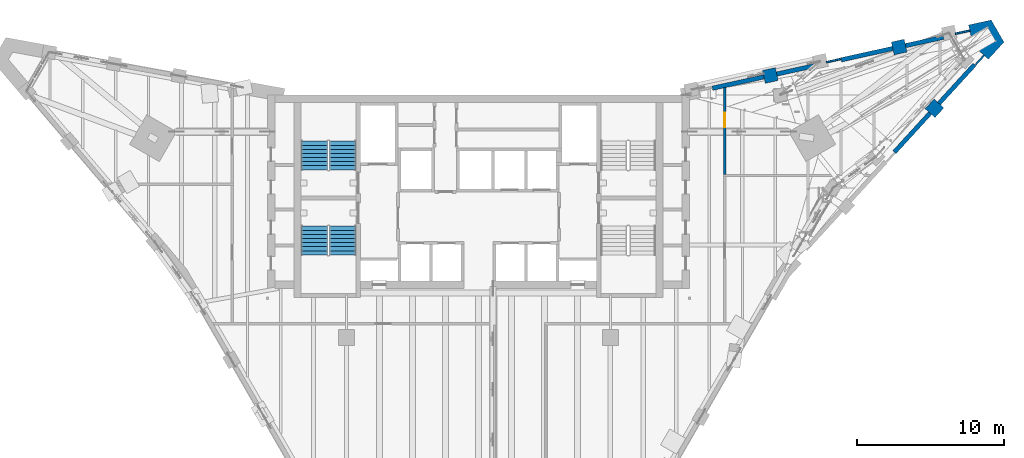
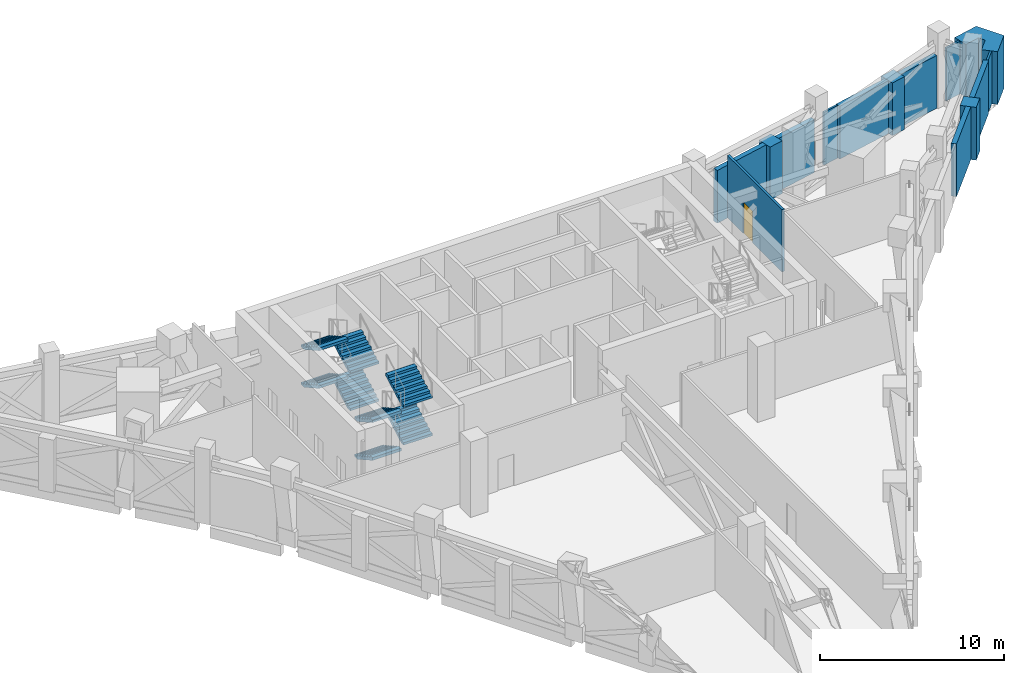
# One storey, part 13 of 23: 14 walls, 8 stair flights, 1 door, 1 opening, 2 elements without a shape of their own.
"""IFC4 building model written with IfcOpenShell, lengths in metres."""

from ifc_helpers import new_model, si_unit, direction, frame, frame_2d, origin, place, context, subcontext, project, spatial, polyline, rectangle, outline, extrude, faceted_brep, source, transform, mapped, material, layer, layer_set, type_object, element, fill, aggregate, save


model = new_model("IFC4")

# Units and contexts
model_context = context("Model", 3, precision=1e-05, world=origin(), true_north=direction((0.0, 1.0)))
body_context = subcontext(model_context, "Body", "Model", "MODEL_VIEW")
ifc_project = project(units=[si_unit("LENGTHUNIT", "METRE"), si_unit("AREAUNIT", "SQUARE_METRE"), si_unit("VOLUMEUNIT", "CUBIC_METRE"), si_unit("PLANEANGLEUNIT", "RADIAN"), si_unit("MASSUNIT", "GRAM", prefix="KILO")], contexts=[model_context])

# Site, building, storey
site_placement = place(None, origin())
site = spatial("IfcSite", under=ifc_project, at=site_placement, CompositionType="ELEMENT")
building_placement = place(site_placement, origin())
building = spatial("IfcBuilding", under=site, at=building_placement, Name="Calabash Gate Tower", CompositionType="ELEMENT")
storey_placement = place(building_placement, frame((0.0, 0.0, 243.199951171875)))
storey = spatial("IfcBuildingStorey", under=building, at=storey_placement, Name="L58", CompositionType="ELEMENT", Elevation=243.199951171875)

# Walls
ifc_material_1 = material(Name="Terracotta brick masonry, exposed face", Category="masonry")
ifc_layer_1 = layer(ifc_material_1, 0.89990234375)
ifc_layer_set_1 = layer_set([ifc_layer_1], Name="Brick end wall 900")
wall_type_1 = type_object("IfcWallType", Name="Brick end wall 900", PredefinedType="SOLIDWALL", material=ifc_layer_set_1)
for number, where, z_axis, x_axis, name in (
    (1, (31.421630859375, 18.47900390625, 0.0), (0.0, 0.0, 1.0), (-0.674938051731, -0.737874397391, 0.0), "Brick pier L58 wedge3.3"),
    (2, (28.80078125, 21.888916015625, 0.0), (0.0, 0.0, 1.0), (-0.215436290857, 0.976517897727, 0.0), "Brick pier L58 wedge5.1"),
):
    element("IfcWall", number, at=place(storey_placement, frame(where, z_axis=z_axis, x_axis=x_axis)), inside=storey, type_object=wall_type_1, Name=name, PredefinedType="SOLIDWALL", context=body_context, shape_type="SweptSolid", body=[
        extrude(rectangle(XDim=0.89990234375, YDim=0.89990234375, at=frame_2d((0.449951171875, 0.0))), origin(), (0.0, 0.0, 1.0), 3.5),
    ])
wall_1_placement = place(storey_placement, frame((19.475830078125, 20.2919921875, 0.0), z_axis=(0.0, 0.0, 1.0), x_axis=(0.976473402733, 0.215637876437, 0.0)))
element("IfcWall", 3, at=wall_1_placement, inside=storey, type_object=wall_type_1, Name="Brick pier L58 wedge5.3", PredefinedType="SOLIDWALL", context=body_context, shape_type="SweptSolid", body=[
    extrude(rectangle(XDim=0.900146484375, YDim=0.89990234375, at=frame_2d((0.4501953125, 0.0))), origin(), (0.0, 0.0, 1.0), 3.5),
])
wall_2_placement = place(storey_placement, origin())
element("IfcWall", 4, at=wall_2_placement, inside=storey, type_object=wall_type_1, Name="Brick end wall L58 3", PredefinedType="SOLIDWALL", context=body_context, shape_type="SweptSolid", body=[
    extrude(outline(polyline([(34.12646484375, 22.103515625), (34.79052734375, 21.49609375), (35.8583984375, 22.663818359375), (34.98583984375, 24.175048828125), (33.440673828125, 23.834228515625), (33.634521484375, 22.955322265625), (34.535888671875, 23.154296875), (34.749267578125, 22.78466796875), (34.12646484375, 22.103515625)])), origin(), (0.0, 0.0, 1.0), 3.5),
])

# Wall, opening, door
ifc_material_2 = material(Name="Gypsum board on steel studs, mineral wool", Category="steel")
ifc_layer_2 = layer(ifc_material_2, 0.14990234375)
ifc_layer_set_2 = layer_set([ifc_layer_2], Name="Partition 150 gypsum board")
wall_type_2 = type_object("IfcWallType", Name="Partition 150 gypsum board", PredefinedType="PARTITIONING", material=ifc_layer_set_2)
wall_3_placement = place(storey_placement, frame((16.800048828125, 13.633544921875, 0.0), z_axis=(0.0, 0.0, 1.0), x_axis=(0.0, 1.0, 0.0)))
wall_3 = element("IfcWall", 5, at=wall_3_placement, inside=storey, type_object=wall_type_2, Name="Partition", PredefinedType="PARTITIONING", context=body_context, shape_type="SweptSolid", body=[
    extrude(rectangle(XDim=5.9345703125, YDim=0.14990234375, at=frame_2d((2.96728515625, 0.0))), origin(), (0.0, 0.0, 1.0), 4.130126953125),
])
opening_placement = place(wall_3_placement, frame((3.218017578125, 0.0, 0.0)))
opening = element("IfcOpeningElement", 6, at=opening_placement, cuts=wall_3, Name="Opening L58-024", PredefinedType="OPENING", context=body_context, shape_type="SweptSolid", body=[
    extrude(rectangle(XDim=1.0, YDim=2.10009765625, at=frame_2d((0.5, 1.050048828125))), frame((0.0, 0.0849609375, 0.0), z_axis=(0.0, -1.0, 0.0), x_axis=(1.0, 0.0, 0.0)), (0.0, 0.0, 1.0), 0.169921875),
])
ifc_material_3 = material(Name="Steel fire door set with fire-resisting glazing", Category="steel")
door_type = type_object("IfcDoorType", Name="Fire door D11 1000x2100 FD60", OperationType="NOTDEFINED", PredefinedType="DOOR", material=ifc_material_3)
door_placement = place(opening_placement, origin())
door = element("IfcDoor", 7, at=door_placement, inside=storey, type_object=door_type, Name="Electrical Switch Room door", OperationType="SINGLE_SWING_LEFT", OverallHeight=2.10009765625, OverallWidth=1.0, PredefinedType="DOOR", context=body_context, shape_type="SweptSolid", body=[
    extrude(rectangle(XDim=1.0, YDim=2.10009765625, at=frame_2d((0.5, 1.050048828125))), frame((0.0, 0.02490234375, 0.0), z_axis=(0.0, -1.0, 0.0), x_axis=(1.0, 0.0, 0.0)), (0.0, 0.0, 1.0), 0.050048828125),
])
fill(opening, door)

# Walls
ifc_material_4 = material(Name="Terracotta brick masonry, perforated", Category="masonry")
ifc_layer_3 = layer(ifc_material_4, 0.1201171875)
ifc_layer_set_3 = layer_set([ifc_layer_3], Name="Terracotta jaali cladding A 120")
wall_type_3 = type_object("IfcWallType", Name="Terracotta jaali cladding A 120", PredefinedType="SOLIDWALL", material=ifc_layer_set_3)
wall_4_placement = place(storey_placement, frame((33.913818359375, 21.115478515625, 0.0), z_axis=(0.0, 0.0, 1.0), x_axis=(0.674922296678, 0.737888808322, 0.0)))
element("IfcWall", 8, at=wall_4_placement, inside=storey, type_object=wall_type_3, Name="Jaali cladding L58 wedge3.c3", PredefinedType="SOLIDWALL", context=body_context, shape_type="SweptSolid", body=[
    extrude(rectangle(XDim=0.868408203125, YDim=0.1201171875, at=frame_2d((0.43408203125, 0.0))), origin(), (0.0, 0.0, 1.0), 3.5),
])
wall_5_placement = place(storey_placement, frame((33.526611328125, 23.453857421875, 0.0), z_axis=(0.0, 0.0, 1.0), x_axis=(-0.976490420748, -0.215560799282, 0.0)))
element("IfcWall", 9, at=wall_5_placement, inside=storey, type_object=wall_type_3, Name="Jaali cladding L58 wedge5.c4", PredefinedType="SOLIDWALL", context=body_context, shape_type="SweptSolid", body=[
    extrude(rectangle(XDim=1.019287109375, YDim=0.1201171875, at=frame_2d((0.509765625, 0.0))), origin(), (0.0, 0.0, 1.0), 3.5),
])
wall_6_placement = place(storey_placement, frame((24.70947265625, 21.50830078125, 0.0), z_axis=(0.0, 0.0, 1.0), x_axis=(-0.976499357304, -0.215520312698, 0.0)))
element("IfcWall", 10, at=wall_6_placement, inside=storey, type_object=wall_type_3, Name="Jaali cladding L58 wedge5.c5", PredefinedType="SOLIDWALL", context=body_context, shape_type="SweptSolid", body=[
    extrude(rectangle(XDim=0.989990234375, YDim=0.1201171875, at=frame_2d((0.4951171875, 0.0))), origin(), (0.0, 0.0, 1.0), 3.5),
])
ifc_material_5 = material(Name="Terracotta louvre blades in an aluminium frame", Category="masonry")
ifc_layer_4 = layer(ifc_material_5, 0.300048828125)
ifc_layer_set_4 = layer_set([ifc_layer_4], Name="Terracotta louvre wall 300")
wall_type_4 = type_object("IfcWallType", Name="Terracotta louvre wall 300", PredefinedType="ELEMENTEDWALL", material=ifc_layer_set_4)
for number, where, z_axis, x_axis, name in (
    (11, (28.384765625, 15.158203125, 0.0), (0.0, 0.0, 1.0), (0.674833575111, 0.737969949187, 0.0), "LOUVRE L58 wedge3.3"),
    (12, (31.421630859375, 18.47900390625, 0.0), (0.0, 0.0, 1.0), (0.674833575111, 0.737969949187, 0.0), "LOUVRE L58 wedge3.4"),
):
    element("IfcWall", number, at=place(storey_placement, frame(where, z_axis=z_axis, x_axis=x_axis)), inside=storey, type_object=wall_type_4, Name=name, PredefinedType="ELEMENTEDWALL", context=body_context, shape_type="SweptSolid", body=[
        extrude(rectangle(XDim=3.60009765625, YDim=0.300048828125, at=frame_2d((1.800048828125, 0.0))), origin(), (0.0, 0.0, 1.0), 3.5),
    ])
wall_7_placement = place(storey_placement, origin())
element("IfcWall", 13, at=wall_7_placement, inside=storey, type_object=wall_type_4, Name="LOUVRE L58 wedge5.1", PredefinedType="ELEMENTEDWALL", context=body_context, shape_type="SweptSolid", body=[
    extrude(outline(polyline([(29.175537109375, 22.27880859375), (31.75927734375, 22.848876953125), (31.694580078125, 23.141845703125), (29.111083984375, 22.57177734375), (29.175537109375, 22.27880859375)])), origin(), (0.0, 0.0, 1.0), 3.5),
])
wall_8_placement = place(storey_placement, frame((28.264404296875, 22.231201171875, 0.0), z_axis=(0.0, 0.0, 1.0), x_axis=(-0.976513072969, -0.215458159096, 0.0)))
element("IfcWall", 14, at=wall_8_placement, inside=storey, type_object=wall_type_4, Name="LOUVRE L58 wedge5.2", PredefinedType="ELEMENTEDWALL", context=body_context, shape_type="SweptSolid", body=[
    extrude(rectangle(XDim=3.599853515625, YDim=0.300048828125, at=frame_2d((1.7998046875, 0.0))), origin(), (0.0, 0.0, 1.0), 3.5),
])
wall_9_placement = place(storey_placement, origin())
element("IfcWall", 15, at=wall_9_placement, inside=storey, type_object=wall_type_4, Name="LOUVRE L58 wedge5.3", PredefinedType="ELEMENTEDWALL", context=body_context, shape_type="SweptSolid", body=[
    extrude(outline(polyline([(20.386962890625, 20.339599609375), (22.97119140625, 20.90966796875), (22.90673828125, 21.20263671875), (20.322509765625, 20.632568359375), (20.386962890625, 20.339599609375)])), origin(), (0.0, 0.0, 1.0), 3.5),
])
wall_10_placement = place(storey_placement, frame((19.475830078125, 20.2919921875, 0.0), z_axis=(0.0, 0.0, 1.0), x_axis=(-0.976513072969, -0.215458159096, 0.0)))
element("IfcWall", 16, at=wall_10_placement, inside=storey, type_object=wall_type_4, Name="LOUVRE L58 wedge5.4", PredefinedType="ELEMENTEDWALL", context=body_context, shape_type="SweptSolid", body=[
    extrude(rectangle(XDim=3.599853515625, YDim=0.300048828125, at=frame_2d((1.7998046875, 0.0))), origin(), (0.0, 0.0, 1.0), 3.5),
])

# Stair, stair flights
ifc_material_6 = material(Name="Concrete C40/50", Category="concrete")
stair_type = type_object("IfcStairType", Name="Exit stair 32 risers of 156.2 mm", PredefinedType="HALF_TURN_STAIR", material=ifc_material_6)
stair_1_placement = place(storey_placement, origin())
stair_1 = element("IfcStair", 17, at=stair_1_placement, inside=storey, type_object=stair_type, Name="L58 Exit stair ST1", PredefinedType="HALF_TURN_STAIR")
ifc_material_7 = material(Name="Concrete C40/50", Category="concrete")
stair_flight_type = type_object("IfcStairFlightType", Name="Exit stair flight SFL", PredefinedType="STRAIGHT", material=ifc_material_7)
shared_shape = source(origin(), body_context, "Body", "Brep", [
    faceted_brep([(-0.0009765625, -0.89990234375, 0.0), (0.306884765625, -0.89990234375, 0.0), (1.9541015625, -0.89990234375, 0.921875), (-0.0009765625, 0.89990234375, 0.0), (1.9541015625, 0.89990234375, 0.921875), (0.306884765625, 0.89990234375, 0.0), (1.9541015625, -0.89990234375, 1.105712890625), (1.952880859375, -0.89990234375, 1.105712890625), (1.952880859375, 0.89990234375, 1.105712890625), (1.9541015625, 0.89990234375, 1.105712890625), (1.952880859375, -0.89990234375, 1.09375), (1.952880859375, 0.89990234375, 1.09375), (1.674072265625, -0.89990234375, 1.09375), (1.674072265625, 0.89990234375, 1.09375), (1.674072265625, -0.89990234375, 0.9375), (1.674072265625, 0.89990234375, 0.9375), (1.39501953125, -0.89990234375, 0.9375), (1.39501953125, 0.89990234375, 0.9375), (1.39501953125, -0.89990234375, 0.78125), (1.39501953125, 0.89990234375, 0.78125), (1.115966796875, -0.89990234375, 0.78125), (1.115966796875, -0.89990234375, 0.625), (1.115966796875, 0.89990234375, 0.625), (1.115966796875, 0.89990234375, 0.78125), (0.8369140625, -0.89990234375, 0.625), (0.8369140625, -0.89990234375, 0.46875), (0.8369140625, 0.89990234375, 0.46875), (0.8369140625, 0.89990234375, 0.625), (0.55810546875, -0.89990234375, 0.46875), (0.55810546875, -0.89990234375, 0.3125), (0.55810546875, 0.89990234375, 0.3125), (0.55810546875, 0.89990234375, 0.46875), (0.279052734375, -0.89990234375, 0.3125), (0.279052734375, -0.89990234375, 0.15625), (0.279052734375, 0.89990234375, 0.15625), (0.279052734375, 0.89990234375, 0.3125), (-0.0009765625, -0.89990234375, 0.15625), (-0.0009765625, 0.89990234375, 0.15625), (0.306884765625, -0.360107421875, 0.0), (1.9541015625, -0.360107421875, 0.921875), (0.306884765625, -0.27001953125, 0.0), (1.9541015625, -0.27001953125, 0.921875), (0.306884765625, -0.179931640625, 0.0), (1.9541015625, -0.179931640625, 0.921875), (0.306884765625, -0.090087890625, 0.0), (1.9541015625, -0.090087890625, 0.921875), (0.306884765625, 0.0, 0.0), (1.9541015625, 0.0, 0.921875), (0.306884765625, 0.090087890625, 0.0), (1.9541015625, 0.090087890625, 0.921875), (0.306884765625, 0.179931640625, 0.0), (1.9541015625, 0.179931640625, 0.921875), (0.306884765625, 0.27001953125, 0.0), (1.9541015625, 0.27001953125, 0.921875), (0.306884765625, 0.360107421875, 0.0), (1.9541015625, 0.360107421875, 0.921875), (1.9541015625, -0.360107421875, 1.105712890625), (1.9541015625, -0.27001953125, 1.105712890625), (1.9541015625, -0.179931640625, 1.105712890625), (1.9541015625, -0.090087890625, 1.105712890625), (1.9541015625, 0.0, 1.105712890625), (1.9541015625, 0.090087890625, 1.105712890625), (1.9541015625, 0.179931640625, 1.105712890625), (1.9541015625, 0.27001953125, 1.105712890625), (1.9541015625, 0.360107421875, 1.105712890625), (1.952880859375, -0.360107421875, 1.105712890625), (1.952880859375, -0.27001953125, 1.105712890625), (1.952880859375, -0.179931640625, 1.105712890625), (1.952880859375, -0.090087890625, 1.105712890625), (1.952880859375, 0.0, 1.105712890625), (1.952880859375, 0.090087890625, 1.105712890625), (1.952880859375, 0.179931640625, 1.105712890625), (1.952880859375, 0.27001953125, 1.105712890625), (1.952880859375, 0.360107421875, 1.105712890625), (1.952880859375, -0.360107421875, 1.09375), (1.952880859375, -0.27001953125, 1.09375), (1.952880859375, -0.179931640625, 1.09375), (1.952880859375, -0.090087890625, 1.09375), (1.952880859375, 0.0, 1.09375), (1.952880859375, 0.090087890625, 1.09375), (1.952880859375, 0.179931640625, 1.09375), (1.952880859375, 0.27001953125, 1.09375), (1.952880859375, 0.360107421875, 1.09375), (1.674072265625, -0.360107421875, 1.09375), (1.674072265625, -0.27001953125, 1.09375), (1.674072265625, -0.179931640625, 1.09375), (1.674072265625, -0.090087890625, 1.09375), (1.674072265625, 0.0, 1.09375), (1.674072265625, 0.090087890625, 1.09375), (1.674072265625, 0.179931640625, 1.09375), (1.674072265625, 0.27001953125, 1.09375), (1.674072265625, 0.360107421875, 1.09375), (1.674072265625, -0.360107421875, 0.9375), (1.674072265625, -0.27001953125, 0.9375), (1.674072265625, -0.179931640625, 0.9375), (1.674072265625, -0.090087890625, 0.9375), (1.674072265625, 0.0, 0.9375), (1.674072265625, 0.090087890625, 0.9375), (1.674072265625, 0.179931640625, 0.9375), (1.674072265625, 0.27001953125, 0.9375), (1.674072265625, 0.360107421875, 0.9375), (1.39501953125, -0.360107421875, 0.9375), (1.39501953125, -0.27001953125, 0.9375), (1.39501953125, -0.179931640625, 0.9375), (1.39501953125, -0.090087890625, 0.9375), (1.39501953125, 0.0, 0.9375), (1.39501953125, 0.090087890625, 0.9375), (1.39501953125, 0.179931640625, 0.9375), (1.39501953125, 0.27001953125, 0.9375), (1.39501953125, 0.360107421875, 0.9375), (1.39501953125, -0.360107421875, 0.78125), (1.39501953125, -0.27001953125, 0.78125), (1.39501953125, -0.179931640625, 0.78125), (1.39501953125, -0.090087890625, 0.78125), (1.39501953125, 0.0, 0.78125), (1.39501953125, 0.090087890625, 0.78125), (1.39501953125, 0.179931640625, 0.78125), (1.39501953125, 0.27001953125, 0.78125), (1.39501953125, 0.360107421875, 0.78125), (1.115966796875, -0.360107421875, 0.78125), (1.115966796875, -0.27001953125, 0.78125), (1.115966796875, -0.179931640625, 0.78125), (1.115966796875, -0.090087890625, 0.78125), (1.115966796875, 0.0, 0.78125), (1.115966796875, 0.090087890625, 0.78125), (1.115966796875, 0.179931640625, 0.78125), (1.115966796875, 0.27001953125, 0.78125), (1.115966796875, 0.360107421875, 0.78125), (1.115966796875, -0.360107421875, 0.625), (1.115966796875, -0.27001953125, 0.625), (1.115966796875, -0.179931640625, 0.625), (1.115966796875, -0.090087890625, 0.625), (1.115966796875, 0.0, 0.625), (1.115966796875, 0.090087890625, 0.625), (1.115966796875, 0.179931640625, 0.625), (1.115966796875, 0.27001953125, 0.625), (1.115966796875, 0.360107421875, 0.625), (0.8369140625, -0.360107421875, 0.625), (0.8369140625, -0.27001953125, 0.625), (0.8369140625, -0.179931640625, 0.625), (0.8369140625, -0.090087890625, 0.625), (0.8369140625, 0.0, 0.625), (0.8369140625, 0.090087890625, 0.625), (0.8369140625, 0.179931640625, 0.625), (0.8369140625, 0.27001953125, 0.625), (0.8369140625, 0.360107421875, 0.625), (0.8369140625, -0.360107421875, 0.46875), (0.8369140625, -0.27001953125, 0.46875), (0.8369140625, -0.179931640625, 0.46875), (0.8369140625, -0.090087890625, 0.46875), (0.8369140625, 0.0, 0.46875), (0.8369140625, 0.090087890625, 0.46875), (0.8369140625, 0.179931640625, 0.46875), (0.8369140625, 0.27001953125, 0.46875), (0.8369140625, 0.360107421875, 0.46875), (0.55810546875, -0.360107421875, 0.46875), (0.55810546875, -0.27001953125, 0.46875), (0.55810546875, -0.179931640625, 0.46875), (0.55810546875, -0.090087890625, 0.46875), (0.55810546875, 0.0, 0.46875), (0.55810546875, 0.090087890625, 0.46875), (0.55810546875, 0.179931640625, 0.46875), (0.55810546875, 0.27001953125, 0.46875), (0.55810546875, 0.360107421875, 0.46875), (0.55810546875, -0.360107421875, 0.3125), (0.55810546875, -0.27001953125, 0.3125), (0.55810546875, -0.179931640625, 0.3125), (0.55810546875, -0.090087890625, 0.3125), (0.55810546875, 0.0, 0.3125), (0.55810546875, 0.090087890625, 0.3125), (0.55810546875, 0.179931640625, 0.3125), (0.55810546875, 0.27001953125, 0.3125), (0.55810546875, 0.360107421875, 0.3125), (0.279052734375, -0.360107421875, 0.3125), (0.279052734375, -0.27001953125, 0.3125), (0.279052734375, -0.179931640625, 0.3125), (0.279052734375, -0.090087890625, 0.3125), (0.279052734375, 0.0, 0.3125), (0.279052734375, 0.090087890625, 0.3125), (0.279052734375, 0.179931640625, 0.3125), (0.279052734375, 0.27001953125, 0.3125), (0.279052734375, 0.360107421875, 0.3125), (0.279052734375, -0.360107421875, 0.15625), (0.279052734375, -0.27001953125, 0.15625), (0.279052734375, -0.179931640625, 0.15625), (0.279052734375, -0.090087890625, 0.15625), (0.279052734375, 0.0, 0.15625), (0.279052734375, 0.090087890625, 0.15625), (0.279052734375, 0.179931640625, 0.15625), (0.279052734375, 0.27001953125, 0.15625), (0.279052734375, 0.360107421875, 0.15625), (-0.0009765625, -0.360107421875, 0.15625), (-0.0009765625, -0.27001953125, 0.15625), (-0.0009765625, -0.179931640625, 0.15625), (-0.0009765625, -0.090087890625, 0.15625), (-0.0009765625, 0.0, 0.15625), (-0.0009765625, 0.090087890625, 0.15625), (-0.0009765625, 0.179931640625, 0.15625), (-0.0009765625, 0.27001953125, 0.15625), (-0.0009765625, 0.360107421875, 0.15625), (-0.0009765625, -0.360107421875, 0.0), (-0.0009765625, -0.27001953125, 0.0), (-0.0009765625, -0.179931640625, 0.0), (-0.0009765625, -0.090087890625, 0.0), (-0.0009765625, 0.0, 0.0), (-0.0009765625, 0.090087890625, 0.0), (-0.0009765625, 0.179931640625, 0.0), (-0.0009765625, 0.27001953125, 0.0), (-0.0009765625, 0.360107421875, 0.0)], [[[0, 1, 2]], [[3, 4, 5]], [[2, 6, 7]], [[4, 8, 9]], [[2, 7, 10]], [[4, 11, 8]], [[2, 10, 12]], [[4, 13, 11]], [[2, 12, 14]], [[4, 15, 13]], [[2, 14, 16]], [[4, 17, 15]], [[2, 16, 18]], [[4, 19, 17]], [[18, 20, 21]], [[19, 22, 23]], [[2, 18, 21]], [[4, 22, 19]], [[21, 24, 25]], [[22, 26, 27]], [[2, 21, 25]], [[4, 26, 22]], [[25, 28, 29]], [[26, 30, 31]], [[2, 25, 29]], [[4, 30, 26]], [[29, 32, 33]], [[30, 34, 35]], [[2, 29, 33]], [[4, 34, 30]], [[0, 2, 33]], [[3, 34, 4]], [[33, 36, 0]], [[34, 3, 37]], [[1, 38, 2]], [[38, 39, 2]], [[38, 40, 39]], [[40, 41, 39]], [[40, 42, 41]], [[42, 43, 41]], [[42, 44, 43]], [[44, 45, 43]], [[44, 46, 45]], [[46, 47, 45]], [[46, 48, 49]], [[46, 49, 47]], [[48, 50, 51]], [[48, 51, 49]], [[50, 52, 53]], [[50, 53, 51]], [[52, 54, 55]], [[52, 55, 53]], [[54, 5, 4]], [[54, 4, 55]], [[2, 39, 6]], [[39, 56, 6]], [[39, 41, 56]], [[41, 57, 56]], [[41, 43, 57]], [[43, 58, 57]], [[43, 45, 58]], [[45, 59, 58]], [[45, 47, 59]], [[47, 60, 59]], [[47, 49, 61]], [[47, 61, 60]], [[49, 51, 62]], [[49, 62, 61]], [[51, 53, 63]], [[51, 63, 62]], [[53, 55, 64]], [[53, 64, 63]], [[55, 4, 9]], [[55, 9, 64]], [[6, 56, 7]], [[56, 65, 7]], [[56, 57, 65]], [[57, 66, 65]], [[57, 58, 66]], [[58, 67, 66]], [[58, 59, 67]], [[59, 68, 67]], [[59, 60, 68]], [[60, 69, 68]], [[60, 61, 70]], [[60, 70, 69]], [[61, 62, 71]], [[61, 71, 70]], [[62, 63, 72]], [[62, 72, 71]], [[63, 64, 73]], [[63, 73, 72]], [[64, 9, 8]], [[64, 8, 73]], [[7, 65, 10]], [[65, 74, 10]], [[65, 66, 74]], [[66, 75, 74]], [[66, 67, 75]], [[67, 76, 75]], [[67, 68, 76]], [[68, 77, 76]], [[68, 69, 77]], [[69, 78, 77]], [[69, 70, 79]], [[69, 79, 78]], [[70, 71, 80]], [[70, 80, 79]], [[71, 72, 81]], [[71, 81, 80]], [[72, 73, 82]], [[72, 82, 81]], [[73, 8, 11]], [[73, 11, 82]], [[10, 74, 12]], [[74, 83, 12]], [[74, 75, 83]], [[75, 84, 83]], [[75, 76, 84]], [[76, 85, 84]], [[76, 77, 85]], [[77, 86, 85]], [[77, 78, 86]], [[78, 87, 86]], [[78, 79, 88]], [[78, 88, 87]], [[79, 80, 89]], [[79, 89, 88]], [[80, 81, 90]], [[80, 90, 89]], [[81, 82, 91]], [[81, 91, 90]], [[82, 11, 13]], [[82, 13, 91]], [[12, 83, 14]], [[83, 92, 14]], [[83, 84, 92]], [[84, 93, 92]], [[84, 85, 93]], [[85, 94, 93]], [[85, 86, 94]], [[86, 95, 94]], [[86, 87, 95]], [[87, 96, 95]], [[87, 88, 97]], [[87, 97, 96]], [[88, 89, 98]], [[88, 98, 97]], [[89, 90, 99]], [[89, 99, 98]], [[90, 91, 100]], [[90, 100, 99]], [[91, 13, 15]], [[91, 15, 100]], [[14, 92, 16]], [[92, 101, 16]], [[92, 93, 101]], [[93, 102, 101]], [[93, 94, 102]], [[94, 103, 102]], [[94, 95, 103]], [[95, 104, 103]], [[95, 96, 104]], [[96, 105, 104]], [[96, 97, 106]], [[96, 106, 105]], [[97, 98, 107]], [[97, 107, 106]], [[98, 99, 108]], [[98, 108, 107]], [[99, 100, 109]], [[99, 109, 108]], [[100, 15, 17]], [[100, 17, 109]], [[16, 101, 18]], [[101, 110, 18]], [[101, 102, 110]], [[102, 111, 110]], [[102, 103, 111]], [[103, 112, 111]], [[103, 104, 112]], [[104, 113, 112]], [[104, 105, 113]], [[105, 114, 113]], [[105, 106, 115]], [[105, 115, 114]], [[106, 107, 116]], [[106, 116, 115]], [[107, 108, 117]], [[107, 117, 116]], [[108, 109, 118]], [[108, 118, 117]], [[109, 17, 19]], [[109, 19, 118]], [[18, 110, 20]], [[110, 119, 20]], [[110, 111, 119]], [[111, 120, 119]], [[111, 112, 120]], [[112, 121, 120]], [[112, 113, 121]], [[113, 122, 121]], [[113, 114, 122]], [[114, 123, 122]], [[114, 115, 124]], [[114, 124, 123]], [[115, 116, 125]], [[115, 125, 124]], [[116, 117, 126]], [[116, 126, 125]], [[117, 118, 127]], [[117, 127, 126]], [[118, 19, 23]], [[118, 23, 127]], [[20, 119, 21]], [[119, 128, 21]], [[119, 120, 128]], [[120, 129, 128]], [[120, 121, 129]], [[121, 130, 129]], [[121, 122, 130]], [[122, 131, 130]], [[122, 123, 131]], [[123, 132, 131]], [[123, 124, 133]], [[123, 133, 132]], [[124, 125, 134]], [[124, 134, 133]], [[125, 126, 135]], [[125, 135, 134]], [[126, 127, 136]], [[126, 136, 135]], [[127, 23, 22]], [[127, 22, 136]], [[21, 128, 24]], [[128, 137, 24]], [[128, 129, 137]], [[129, 138, 137]], [[129, 130, 138]], [[130, 139, 138]], [[130, 131, 139]], [[131, 140, 139]], [[131, 132, 140]], [[132, 141, 140]], [[132, 133, 142]], [[132, 142, 141]], [[133, 134, 143]], [[133, 143, 142]], [[134, 135, 144]], [[134, 144, 143]], [[135, 136, 145]], [[135, 145, 144]], [[136, 22, 27]], [[136, 27, 145]], [[24, 137, 25]], [[137, 146, 25]], [[137, 138, 146]], [[138, 147, 146]], [[138, 139, 147]], [[139, 148, 147]], [[139, 140, 148]], [[140, 149, 148]], [[140, 141, 149]], [[141, 150, 149]], [[141, 142, 151]], [[141, 151, 150]], [[142, 143, 152]], [[142, 152, 151]], [[143, 144, 153]], [[143, 153, 152]], [[144, 145, 154]], [[144, 154, 153]], [[145, 27, 26]], [[145, 26, 154]], [[25, 146, 28]], [[146, 155, 28]], [[146, 147, 155]], [[147, 156, 155]], [[147, 148, 156]], [[148, 157, 156]], [[148, 149, 157]], [[149, 158, 157]], [[149, 150, 158]], [[150, 159, 158]], [[150, 151, 160]], [[150, 160, 159]], [[151, 152, 161]], [[151, 161, 160]], [[152, 153, 162]], [[152, 162, 161]], [[153, 154, 163]], [[153, 163, 162]], [[154, 26, 31]], [[154, 31, 163]], [[28, 155, 29]], [[155, 164, 29]], [[155, 156, 164]], [[156, 165, 164]], [[156, 157, 165]], [[157, 166, 165]], [[157, 158, 166]], [[158, 167, 166]], [[158, 159, 167]], [[159, 168, 167]], [[159, 160, 169]], [[159, 169, 168]], [[160, 161, 170]], [[160, 170, 169]], [[161, 162, 171]], [[161, 171, 170]], [[162, 163, 172]], [[162, 172, 171]], [[163, 31, 30]], [[163, 30, 172]], [[29, 164, 32]], [[164, 173, 32]], [[164, 165, 173]], [[165, 174, 173]], [[165, 166, 174]], [[166, 175, 174]], [[166, 167, 175]], [[167, 176, 175]], [[167, 168, 176]], [[168, 177, 176]], [[168, 169, 178]], [[168, 178, 177]], [[169, 170, 179]], [[169, 179, 178]], [[170, 171, 180]], [[170, 180, 179]], [[171, 172, 181]], [[171, 181, 180]], [[172, 30, 35]], [[172, 35, 181]], [[32, 173, 33]], [[173, 182, 33]], [[173, 174, 182]], [[174, 183, 182]], [[174, 175, 183]], [[175, 184, 183]], [[175, 176, 184]], [[176, 185, 184]], [[176, 177, 185]], [[177, 186, 185]], [[177, 178, 187]], [[177, 187, 186]], [[178, 179, 188]], [[178, 188, 187]], [[179, 180, 189]], [[179, 189, 188]], [[180, 181, 190]], [[180, 190, 189]], [[181, 35, 34]], [[181, 34, 190]], [[33, 182, 36]], [[182, 191, 36]], [[182, 183, 191]], [[183, 192, 191]], [[183, 184, 192]], [[184, 193, 192]], [[184, 185, 193]], [[185, 194, 193]], [[185, 186, 194]], [[186, 195, 194]], [[186, 187, 196]], [[186, 196, 195]], [[187, 188, 197]], [[187, 197, 196]], [[188, 189, 198]], [[188, 198, 197]], [[189, 190, 199]], [[189, 199, 198]], [[190, 34, 37]], [[190, 37, 199]], [[36, 191, 0]], [[191, 200, 0]], [[191, 192, 200]], [[192, 201, 200]], [[192, 193, 201]], [[193, 202, 201]], [[193, 194, 202]], [[194, 203, 202]], [[194, 195, 203]], [[195, 204, 203]], [[195, 196, 205]], [[195, 205, 204]], [[196, 197, 206]], [[196, 206, 205]], [[197, 198, 207]], [[197, 207, 206]], [[198, 199, 208]], [[198, 208, 207]], [[199, 37, 3]], [[199, 3, 208]], [[0, 200, 1]], [[200, 38, 1]], [[200, 201, 38]], [[201, 40, 38]], [[201, 202, 40]], [[202, 42, 40]], [[202, 203, 42]], [[203, 44, 42]], [[203, 204, 44]], [[204, 46, 44]], [[204, 205, 48]], [[204, 48, 46]], [[205, 206, 50]], [[205, 50, 48]], [[206, 207, 52]], [[206, 52, 50]], [[207, 208, 54]], [[207, 54, 52]], [[208, 3, 5]], [[208, 5, 54]]]),
])
stair_flight_1_placement = place(storey_placement, frame((-9.25, 13.95263671875, 0.0), z_axis=(0.0, 0.0, 1.0), x_axis=(0.0, 1.0, 0.0)))
stair_flight_1 = element("IfcStairFlight", 18, at=stair_flight_1_placement, type_object=stair_flight_type, Name="ST1 flight 1", NumberOfRisers=8, NumberOfTreads=7, PredefinedType="STRAIGHT", RiserHeight=0.15625, TreadLength=0.279, context=body_context, shape_type="MappedRepresentation", body=[
    mapped(shared_shape, transform((0.0, 0.0, 0.0), scale=1.0)),
])
stair_flight_2_placement = place(storey_placement, frame((-11.199951171875, 15.905517578125, 1.25), z_axis=(0.0, 0.0, 1.0), x_axis=(0.0, -1.0, 0.0)))
stair_flight_2 = element("IfcStairFlight", 19, at=stair_flight_2_placement, type_object=stair_flight_type, Name="ST1 flight 2", NumberOfRisers=8, NumberOfTreads=7, PredefinedType="STRAIGHT", RiserHeight=0.15625, TreadLength=0.279, context=body_context, shape_type="MappedRepresentation", body=[
    mapped(shared_shape, transform((0.0, 0.0, 0.0), scale=1.0)),
])
stair_flight_3_placement = place(storey_placement, frame((-9.25, 13.95263671875, 2.5), z_axis=(0.0, 0.0, 1.0), x_axis=(0.0, 1.0, 0.0)))
stair_flight_3 = element("IfcStairFlight", 20, at=stair_flight_3_placement, type_object=stair_flight_type, Name="ST1 flight 3", NumberOfRisers=8, NumberOfTreads=7, PredefinedType="STRAIGHT", RiserHeight=0.15625, TreadLength=0.279, context=body_context, shape_type="MappedRepresentation", body=[
    mapped(shared_shape, transform((0.0, 0.0, 0.0), scale=1.0)),
])
stair_flight_4_placement = place(storey_placement, frame((-11.199951171875, 15.905517578125, 3.75), z_axis=(0.0, 0.0, 1.0), x_axis=(0.0, -1.0, 0.0)))
stair_flight_4 = element("IfcStairFlight", 21, at=stair_flight_4_placement, type_object=stair_flight_type, Name="ST1 flight 4", NumberOfRisers=8, NumberOfTreads=7, PredefinedType="STRAIGHT", RiserHeight=0.15625, TreadLength=0.279, context=body_context, shape_type="MappedRepresentation", body=[
    mapped(shared_shape, transform((0.0, 0.0, 0.0), scale=1.0)),
])
aggregate(stair_1, [stair_flight_1, stair_flight_2, stair_flight_3, stair_flight_4])

stair_2_placement = place(storey_placement, origin())
stair_2 = element("IfcStair", 22, at=stair_2_placement, inside=storey, type_object=stair_type, Name="L58 Exit stair ST2", PredefinedType="HALF_TURN_STAIR")
stair_flight_5_placement = place(storey_placement, frame((-11.199951171875, 10.1025390625, 0.0), z_axis=(0.0, 0.0, 1.0), x_axis=(0.0, -1.0, 0.0)))
stair_flight_5 = element("IfcStairFlight", 23, at=stair_flight_5_placement, type_object=stair_flight_type, Name="ST2 flight 1", NumberOfRisers=8, NumberOfTreads=7, PredefinedType="STRAIGHT", RiserHeight=0.15625, TreadLength=0.279, context=body_context, shape_type="MappedRepresentation", body=[
    mapped(shared_shape, transform((0.0, 0.0, 0.0), scale=1.0)),
])
stair_flight_6_placement = place(storey_placement, frame((-9.25, 8.149658203125, 1.25), z_axis=(0.0, 0.0, 1.0), x_axis=(0.0, 1.0, 0.0)))
stair_flight_6 = element("IfcStairFlight", 24, at=stair_flight_6_placement, type_object=stair_flight_type, Name="ST2 flight 2", NumberOfRisers=8, NumberOfTreads=7, PredefinedType="STRAIGHT", RiserHeight=0.15625, TreadLength=0.279, context=body_context, shape_type="MappedRepresentation", body=[
    mapped(shared_shape, transform((0.0, 0.0, 0.0), scale=1.0)),
])
stair_flight_7_placement = place(storey_placement, frame((-11.199951171875, 10.1025390625, 2.5), z_axis=(0.0, 0.0, 1.0), x_axis=(0.0, -1.0, 0.0)))
stair_flight_7 = element("IfcStairFlight", 25, at=stair_flight_7_placement, type_object=stair_flight_type, Name="ST2 flight 3", NumberOfRisers=8, NumberOfTreads=7, PredefinedType="STRAIGHT", RiserHeight=0.15625, TreadLength=0.279, context=body_context, shape_type="MappedRepresentation", body=[
    mapped(shared_shape, transform((0.0, 0.0, 0.0), scale=1.0)),
])
stair_flight_8_placement = place(storey_placement, frame((-9.25, 8.149658203125, 3.75), z_axis=(0.0, 0.0, 1.0), x_axis=(0.0, 1.0, 0.0)))
stair_flight_8 = element("IfcStairFlight", 26, at=stair_flight_8_placement, type_object=stair_flight_type, Name="ST2 flight 4", NumberOfRisers=8, NumberOfTreads=7, PredefinedType="STRAIGHT", RiserHeight=0.15625, TreadLength=0.279, context=body_context, shape_type="MappedRepresentation", body=[
    mapped(shared_shape, transform((0.0, 0.0, 0.0), scale=1.0)),
])
aggregate(stair_2, [stair_flight_5, stair_flight_6, stair_flight_7, stair_flight_8])

save(model, "model.ifc")
